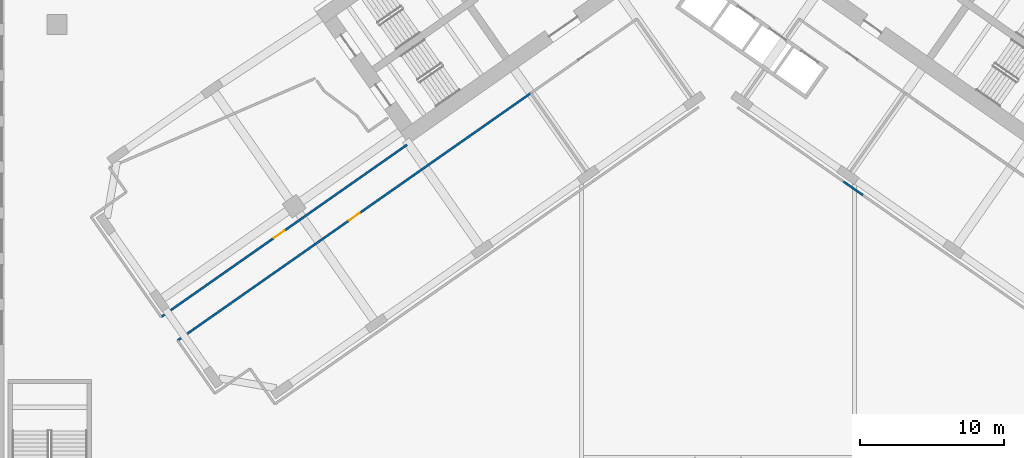
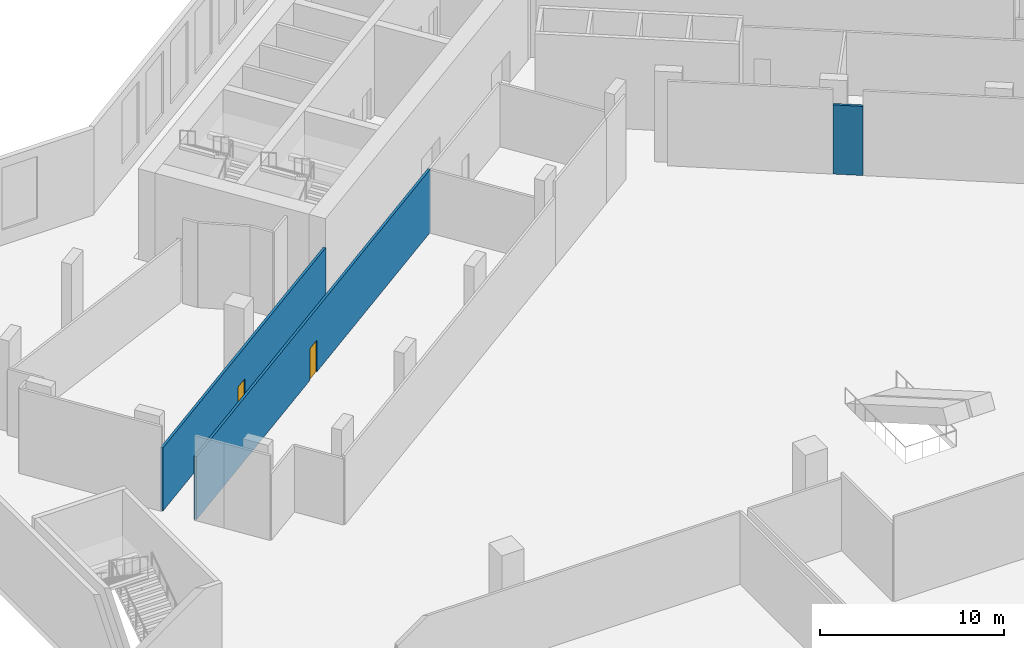
# One storey, part 7 of 25: 3 walls, 2 doors, 2 openings.
"""IFC4 building model written with IfcOpenShell, lengths in metres."""

import ifcopenshell
import ifcopenshell.guid

model = None  # the IFC model being written
_history = None  # IfcOwnerHistory: only IFC2X3 demands one
_inside = {}  # id of a spatial element -> (the spatial element, [elements in it])
_under = {}  # id of a project, library or spatial element -> (it, [spatial elements below it])
_declared = {}  # id of a project -> (the project, [libraries it declares])
_typed = {}  # id of a type object -> (the type object, [elements of that type])
_made_of = {}  # id of a material, layer set ... -> (it, [elements and type objects made of it])


def new_model(schema):
    """Start an empty IFC model of exactly this schema.

    Asked for "IFC4X3", IfcOpenShell would pick the latest addendum, in which some entities
    have other attributes; the version numbers below select the first issue.
    IFC2X3 requires an IfcOwnerHistory on every rooted entity: one is made here for all.
    """
    global model, _history
    if schema == "IFC4X3":
        model = ifcopenshell.file(schema_version=(4, 3, 0, 0))
    else:
        model = ifcopenshell.file(schema=schema)
    _inside.clear()
    _under.clear()
    _declared.clear()
    _typed.clear()
    _made_of.clear()
    _history = None
    if model.schema == "IFC2X3":
        org = make("IfcOrganization", Name="unknown")
        user = make(
            "IfcPersonAndOrganization",
            ThePerson=make("IfcPerson", FamilyName="unknown"),
            TheOrganization=org,
        )
        app = make(
            "IfcApplication",
            ApplicationDeveloper=org,
            Version="unknown",
            ApplicationFullName="unknown",
            ApplicationIdentifier="unknown",
        )
        _history = make(
            "IfcOwnerHistory",
            OwningUser=user,
            OwningApplication=app,
            ChangeAction="ADDED",
            CreationDate=0,
        )
    return model


def make(cls, **values):
    """One entity of the class cls with the attributes given. An attribute that is None is left unset."""
    return model.create_entity(
        cls, **{name: value for name, value in values.items() if value is not None}
    )


def rooted(cls, **values):
    """An entity with a GlobalId (a new one), such as an element, a storey or a relation."""
    return make(cls, GlobalId=ifcopenshell.guid.new(), OwnerHistory=_history, **values)


def si_unit(unit_type, name, prefix=None):
    """IfcSIUnit, for example si_unit("LENGTHUNIT", "METRE", prefix="MILLI")."""
    return make("IfcSIUnit", UnitType=unit_type, Prefix=prefix, Name=name)


def assignment(units):
    """IfcUnitAssignment: the units of a project."""
    return None if units is None else make("IfcUnitAssignment", Units=units)


def point(xyz):
    """IfcCartesianPoint."""
    return None if xyz is None else make("IfcCartesianPoint", Coordinates=xyz)


def direction(xyz):
    """IfcDirection."""
    return None if xyz is None else make("IfcDirection", DirectionRatios=xyz)


def frame(location, z_axis=None, x_axis=None):
    """IfcAxis2Placement3D, a coordinate frame: its origin and axes. An axis left out is left unset."""
    return make(
        "IfcAxis2Placement3D",
        Location=point(location),
        Axis=direction(z_axis),
        RefDirection=direction(x_axis),
    )


def frame_2d(location, x_axis=None):
    """IfcAxis2Placement2D, a coordinate frame in the plane: its origin and x axis."""
    return make(
        "IfcAxis2Placement2D", Location=point(location), RefDirection=direction(x_axis)
    )


def origin():
    """The frame at (0, 0, 0) with its axes left unset."""
    return frame((0.0, 0.0, 0.0))


def place(relative_to, where):
    """IfcLocalPlacement: puts the frame where relative to a parent placement (None: the world)."""
    return make(
        "IfcLocalPlacement", PlacementRelTo=relative_to, RelativePlacement=where
    )


def context(
    kind, dimensions, precision=None, world=None, true_north=None, identifier=None
):
    """IfcGeometricRepresentationContext, for example the 3D "Model" context."""
    return make(
        "IfcGeometricRepresentationContext",
        ContextIdentifier=identifier,
        ContextType=kind,
        CoordinateSpaceDimension=dimensions,
        Precision=precision,
        WorldCoordinateSystem=world,
        TrueNorth=true_north,
    )


def subcontext(parent, identifier, kind, view, scale=None):
    """IfcGeometricRepresentationSubContext, for example "Body" below "Model"."""
    return make(
        "IfcGeometricRepresentationSubContext",
        ContextIdentifier=identifier,
        ContextType=kind,
        ParentContext=parent,
        TargetScale=scale,
        TargetView=view,
    )


def project(units=None, contexts=None):
    """IfcProject with its units and contexts."""
    return rooted(
        "IfcProject",
        Name="project",
        RepresentationContexts=contexts,
        UnitsInContext=assignment(units),
    )


def spatial(cls, under=None, at=None, **own):
    """A site, building, storey or space (cls), placed at a placement, below another one or the project."""
    s = rooted(cls, ObjectPlacement=at, **own)
    if under is not None:
        _under.setdefault(under.id(), (under, []))[1].append(s)
    return s


def profile(cls, at=None, kind="AREA", **sizes):
    """A parametric profile (cls). Its sizes go by their IFC names, for example OverallWidth=200.0."""
    return make(cls, ProfileType=kind, Position=at, **sizes)


def rectangle(**sizes):
    """IfcRectangleProfileDef."""
    return profile("IfcRectangleProfileDef", **sizes)


def extrude(swept, where, along, depth):
    """IfcExtrudedAreaSolid: the profile swept, set in the frame where, extruded along a direction by depth."""
    return make(
        "IfcExtrudedAreaSolid",
        SweptArea=swept,
        Position=where,
        ExtrudedDirection=direction(along),
        Depth=depth,
    )


def shape(context_of_items, identifier, shape_type, items):
    """IfcShapeRepresentation: the items that make up one representation, for example the "Body"."""
    return make(
        "IfcShapeRepresentation",
        ContextOfItems=context_of_items,
        RepresentationIdentifier=identifier,
        RepresentationType=shape_type,
        Items=items,
    )


def material(Name=None, Category=None):
    """IfcMaterial."""
    return make("IfcMaterial", Name=Name, Category=Category)


def layer(
    of_material, thickness, ventilated=None, Name=None, Category=None, Priority=None
):
    """IfcMaterialLayer: one layer of a wall or slab, of a material (None: an air gap)."""
    return make(
        "IfcMaterialLayer",
        Material=of_material,
        LayerThickness=thickness,
        IsVentilated=ventilated,
        Name=Name,
        Category=Category,
        Priority=Priority,
    )


def layer_set(layers, Name=None):
    """IfcMaterialLayerSet."""
    return make("IfcMaterialLayerSet", MaterialLayers=layers, LayerSetName=Name)


def made_of(thing, what):
    """Note that an element or type object is made of a material, layer set ...; save() writes the relation."""
    if what is not None:
        _made_of.setdefault(what.id(), (what, []))[1].append(thing)
    return thing


def type_object(cls, material=None, **own):
    """A type object (cls), such as IfcWallType, which elements share."""
    return made_of(rooted(cls, **own), material)


def element(
    cls,
    number,
    at=None,
    inside=None,
    cuts=None,
    type_object=None,
    material=None,
    context=None,
    identifier="Body",
    shape_type=None,
    held_by="IfcProductDefinitionShape",
    body=None,
    shapes=None,
    **own,
):
    """One element of the class cls, such as IfcWall. Its Tag is "e" and its number.

    at: its placement. inside: the storey or other place that contains it. cuts: it is an
    opening in that element (IfcRelVoidsElement). A single representation is given by context,
    identifier, shape_type and body (its items); several are given by shapes. held_by: the class
    of the entity that holds the representations. save() writes the other relations.
    """
    e = rooted(cls, Tag="e%d" % number, ObjectPlacement=at, **own)
    if body is not None:
        shapes = [shape(context, identifier, shape_type, body)]
    if shapes is not None:
        e.Representation = make(held_by, Representations=shapes)
    if inside is not None:
        _inside.setdefault(inside.id(), (inside, []))[1].append(e)
    if cuts is not None:
        rooted(
            "IfcRelVoidsElement", RelatingBuildingElement=cuts, RelatedOpeningElement=e
        )
    if type_object is not None:
        _typed.setdefault(type_object.id(), (type_object, []))[1].append(e)
    return made_of(e, material)


def fill(opening, filler):
    """IfcRelFillsElement: the door or window that sits in an opening."""
    return rooted(
        "IfcRelFillsElement",
        RelatingOpeningElement=opening,
        RelatedBuildingElement=filler,
    )


def aggregate(whole, parts):
    """IfcRelAggregates: a whole, such as a stair, and the parts it consists of."""
    return rooted("IfcRelAggregates", RelatingObject=whole, RelatedObjects=parts)


def save(model, path):
    """Write the relations noted so far, then the file.

    IfcRelAggregates (storeys below a building ...), IfcRelContainedInSpatialStructure (elements
    in a storey), IfcRelDefinesByType, IfcRelAssociatesMaterial and IfcRelDeclares: one each for
    every whole, place, type object, material and project.
    """
    for whole, parts in _under.values():
        aggregate(whole, parts)
    for where, things in _inside.values():
        rooted(
            "IfcRelContainedInSpatialStructure",
            RelatedElements=things,
            RelatingStructure=where,
        )
    for kind, things in _typed.values():
        rooted("IfcRelDefinesByType", RelatedObjects=things, RelatingType=kind)
    for what, things in _made_of.values():
        rooted("IfcRelAssociatesMaterial", RelatedObjects=things, RelatingMaterial=what)
    for by, libraries in _declared.values():
        rooted("IfcRelDeclares", RelatingContext=by, RelatedDefinitions=libraries)
    model.write(path)


model = new_model("IFC4")

# Units and contexts
model_context = context("Model", 3, precision=1e-05, world=origin(), true_north=direction((0.0, 1.0)))
body_context = subcontext(model_context, "Body", "Model", "MODEL_VIEW")
ifc_project = project(units=[si_unit("LENGTHUNIT", "METRE"), si_unit("AREAUNIT", "SQUARE_METRE"), si_unit("VOLUMEUNIT", "CUBIC_METRE"), si_unit("PLANEANGLEUNIT", "RADIAN"), si_unit("MASSUNIT", "GRAM", prefix="KILO")], contexts=[model_context])

# Site, building, storey
site_placement = place(None, origin())
site = spatial("IfcSite", under=ifc_project, at=site_placement, CompositionType="ELEMENT")
building_placement = place(site_placement, origin())
building = spatial("IfcBuilding", under=site, at=building_placement, Name="Tel Ilan Convention Tower", CompositionType="ELEMENT")
storey_placement = place(building_placement, frame((0.0, 0.0, 26.0)))
storey = spatial("IfcBuildingStorey", under=building, at=storey_placement, Name="L03", CompositionType="ELEMENT", Elevation=26.0)

# Wall, opening, door
ifc_material_1 = material(Name="Plasterboard on Steel Studs", Category="steel")
ifc_layer = layer(ifc_material_1, 0.14990234375)
ifc_layer_set = layer_set([ifc_layer], Name="Fire-rated Partition 150 EI 60")
wall_type = type_object("IfcWallType", Name="Fire-rated Partition 150 EI 60", PredefinedType="PARTITIONING", material=ifc_layer_set)
wall_1_placement = place(storey_placement, frame((-38.74560546875, -28.350830078125, 0.0), z_axis=(0.0, 0.0, 1.0), x_axis=(0.819148965066, 0.573580833911, 0.0)))
wall_1 = element("IfcWall", 1, at=wall_1_placement, inside=storey, type_object=wall_type, Name="Partition 004", PredefinedType="PARTITIONING", context=body_context, shape_type="SweptSolid", body=[
    extrude(rectangle(XDim=20.8798828125, YDim=0.14990234375, at=frame_2d((10.43994140625, 0.0))), origin(), (0.0, 0.0, 1.0), 4.179931640625),
])
opening_1_placement = place(wall_1_placement, frame((9.590087890625, 0.0, 0.0)))
opening_1 = element("IfcOpeningElement", 2, at=opening_1_placement, cuts=wall_1, Name="Opening L03-003", PredefinedType="OPENING", context=body_context, shape_type="SweptSolid", body=[
    extrude(rectangle(XDim=0.89990234375, YDim=2.10009765625, at=frame_2d((0.449951171875, 1.050048828125))), frame((0.0, 0.0849609375, 0.0), z_axis=(0.0, -1.0, 0.0), x_axis=(1.0, 0.0, 0.0)), (0.0, 0.0, 1.0), 0.169921875),
])
ifc_material_2 = material(Name="Timber Door Leaf in Steel Frame", Category="steel")
door_type_1 = type_object("IfcDoorType", Name="Riser and Service Fire Door 900x2100", OperationType="NOTDEFINED", PredefinedType="DOOR", material=ifc_material_2)
door_1_placement = place(opening_1_placement, origin())
door_1 = element("IfcDoor", 3, at=door_1_placement, inside=storey, type_object=door_type_1, Name="Door L03-003", OperationType="SINGLE_SWING_LEFT", OverallHeight=2.10009765625, OverallWidth=0.89990234375, PredefinedType="DOOR", context=body_context, shape_type="SweptSolid", body=[
    extrude(rectangle(XDim=0.89990234375, YDim=2.10009765625, at=frame_2d((0.449951171875, 1.050048828125))), frame((0.0, 0.02490234375, 0.0), z_axis=(0.0, -1.0, 0.0), x_axis=(1.0, 0.0, 0.0)), (0.0, 0.0, 1.0), 0.050048828125),
])
fill(opening_1, door_1)

wall_2_placement = place(storey_placement, frame((-13.0224609375, -12.78076171875, 0.0), z_axis=(0.0, 0.0, 1.0), x_axis=(-0.819154688631, -0.57357265982, 0.0)))
wall_2 = element("IfcWall", 4, at=wall_2_placement, inside=storey, type_object=wall_type, Name="Partition 006", PredefinedType="PARTITIONING", context=body_context, shape_type="SweptSolid", body=[
    extrude(rectangle(XDim=30.001953125, YDim=0.14990234375, at=frame_2d((15.0009765625, 0.0))), origin(), (0.0, 0.0, 1.0), 4.179931640625),
])
opening_2_placement = place(wall_2_placement, frame((14.551025390625, 0.0, 0.0)))
opening_2 = element("IfcOpeningElement", 5, at=opening_2_placement, cuts=wall_2, Name="Opening L03-002", PredefinedType="OPENING", context=body_context, shape_type="SweptSolid", body=[
    extrude(rectangle(XDim=0.89990234375, YDim=2.10009765625, at=frame_2d((0.449951171875, 1.050048828125))), frame((0.0, 0.0849609375, 0.0), z_axis=(0.0, -1.0, 0.0), x_axis=(1.0, 0.0, 0.0)), (0.0, 0.0, 1.0), 0.169921875),
])
ifc_material_3 = material(Name="Timber Door Leaf in Steel Frame", Category="steel")
door_type_2 = type_object("IfcDoorType", Name="Room Fire Door 900x2100", OperationType="NOTDEFINED", PredefinedType="DOOR", material=ifc_material_3)
door_2_placement = place(opening_2_placement, origin())
door_2 = element("IfcDoor", 6, at=door_2_placement, inside=storey, type_object=door_type_2, Name="Door L03-002", OperationType="SINGLE_SWING_RIGHT", OverallHeight=2.10009765625, OverallWidth=0.89990234375, PredefinedType="DOOR", context=body_context, shape_type="SweptSolid", body=[
    extrude(rectangle(XDim=0.89990234375, YDim=2.10009765625, at=frame_2d((0.449951171875, 1.050048828125))), frame((0.0, 0.02490234375, 0.0), z_axis=(0.0, -1.0, 0.0), x_axis=(1.0, 0.0, 0.0)), (0.0, 0.0, 1.0), 0.050048828125),
])
fill(opening_2, door_2)

# Wall
wall_3_placement = place(storey_placement, frame((10.0751953125, -19.872802734375, 0.0), z_axis=(0.0, 0.0, 1.0), x_axis=(-0.819190252408, 0.573521865634, 0.0)))
element("IfcWall", 7, at=wall_3_placement, inside=storey, type_object=wall_type, Name="Partition 026", PredefinedType="PARTITIONING", context=body_context, shape_type="SweptSolid", body=[
    extrude(rectangle(XDim=1.651611328125, YDim=0.14990234375, at=frame_2d((0.82568359375, 0.0))), origin(), (0.0, 0.0, 1.0), 4.580078125),
])

save(model, "model.ifc")
